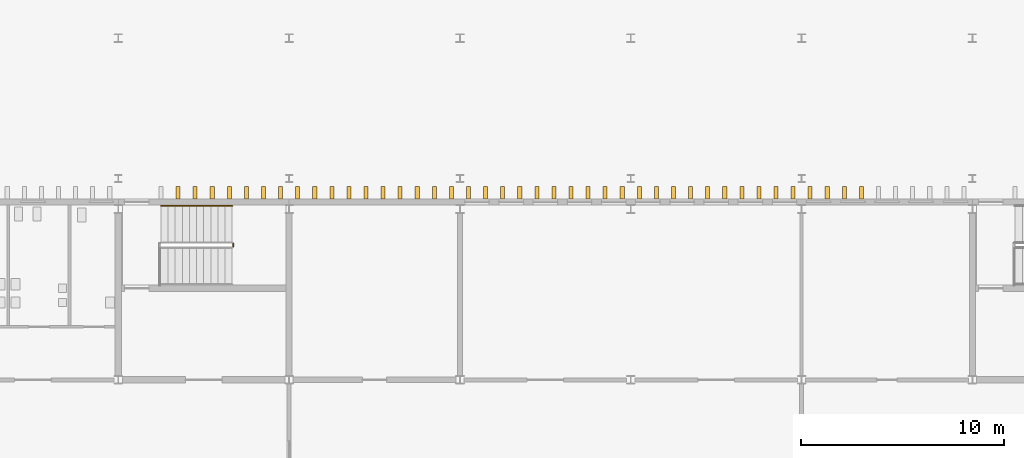
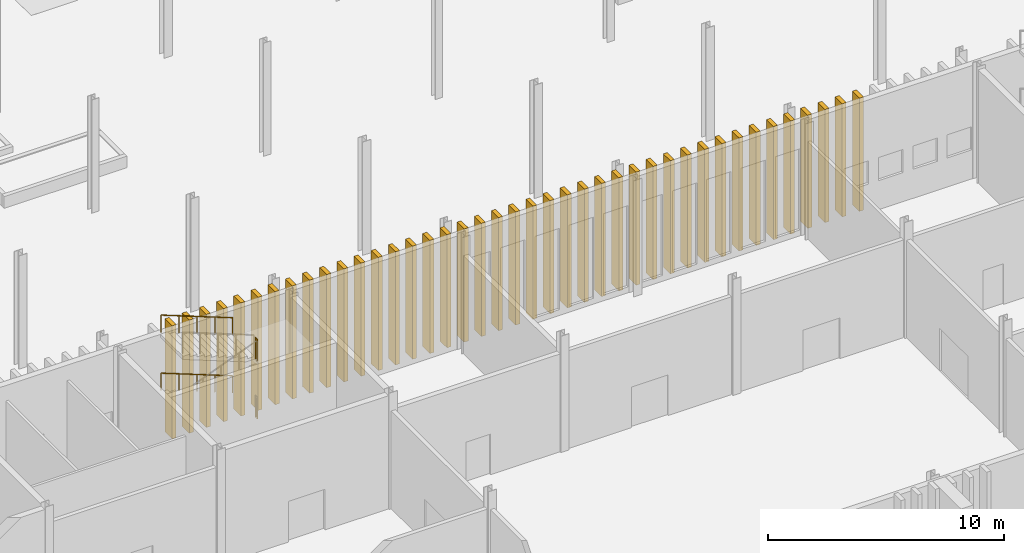
# One storey, part 90 of 108: 41 coverings, 4 railings.
"""IFC4 building model written with IfcOpenShell, lengths in metres."""

from ifc_helpers import new_model, si_unit, direction, frame, origin, origin_2d, place, context, subcontext, project, spatial, rectangle, circle, extrude, material, type_object, element, save


model = new_model("IFC4")

# Units and contexts
model_context = context("Model", 3, precision=1e-05, world=origin(), true_north=direction((0.0, 1.0)))
body_context = subcontext(model_context, "Body", "Model", "MODEL_VIEW")
ifc_project = project(units=[si_unit("LENGTHUNIT", "METRE"), si_unit("AREAUNIT", "SQUARE_METRE"), si_unit("VOLUMEUNIT", "CUBIC_METRE"), si_unit("PLANEANGLEUNIT", "RADIAN"), si_unit("MASSUNIT", "GRAM", prefix="KILO")], contexts=[model_context])

# Site, building, storey
site_placement = place(None, origin())
site = spatial("IfcSite", under=ifc_project, at=site_placement, CompositionType="ELEMENT")
building_placement = place(site_placement, origin())
building = spatial("IfcBuilding", under=site, at=building_placement, Name="Cresset Court Congress Hotel", CompositionType="ELEMENT")
storey_placement = place(building_placement, origin())
storey = spatial("IfcBuildingStorey", under=building, at=storey_placement, Name="L00", CompositionType="ELEMENT", Elevation=0.0)

# Railings
ifc_material_1 = material(Name="Steel and laminated glass", Category="steel")
railing_type_1 = type_object("IfcRailingType", Name="Guard 1100 steel and glass", PredefinedType="GUARDRAIL", material=ifc_material_1)
for number, where, name in (
    (1, (64.449951171875, 23.35009765625, 1.5), "L00 ST-B3 stair guard 2"),
    (2, (64.449951171875, 23.35009765625, 4.5), "L00 ST-B3 stair guard 6"),
):
    element("IfcRailing", number, at=place(storey_placement, frame(where)), inside=storey, type_object=railing_type_1, Name=name, PredefinedType="GUARDRAIL", context=body_context, shape_type="SweptSolid", body=[
        extrude(circle(Radius=0.02392578125, at=origin_2d()), frame((0.0, 0.0, 1.076171875), z_axis=(0.0, 1.0, 0.0), x_axis=(-1.0, 0.0, 0.0)), (0.0, 0.0, 1.0), 0.14990234375),
        extrude(circle(Radius=0.02099609375, at=origin_2d()), origin(), (0.0, 0.0, 1.0), 1.052001953125),
        extrude(circle(Radius=0.02099609375, at=origin_2d()), frame((0.0, 0.14990234375, 0.0)), (0.0, 0.0, 1.0), 1.052001953125),
    ])
ifc_material_2 = material(Name="Stainless steel", Category="steel")
railing_type_2 = type_object("IfcRailingType", Name="Handrail 48 stainless", PredefinedType="HANDRAIL", material=ifc_material_2)
for number, where, name in (
    (3, (64.39990234375, 25.35009765625, 1.636474609375), "L00 ST-B3 stair handrail 2"),
    (4, (64.39990234375, 25.35009765625, 4.636474609375), "L00 ST-B3 stair handrail 4"),
):
    element("IfcRailing", number, at=place(storey_placement, frame(where)), inside=storey, type_object=railing_type_2, Name=name, PredefinedType="HANDRAIL", context=body_context, shape_type="SweptSolid", body=[
        extrude(circle(Radius=0.02392578125, at=origin_2d()), frame((0.0, 0.0, 0.8759765625), z_axis=(-0.931787385211, 0.0, 0.3630045024), x_axis=(0.0, -1.0, 0.0)), (0.0, 0.0, 1.0), 3.756103515625),
        extrude(circle(Radius=0.02099609375, at=origin_2d()), origin(), (0.0, 0.0, 1.0), 0.851806640625),
        extrude(circle(Radius=0.02099609375, at=origin_2d()), frame((-0.875, 0.0, 0.3408203125)), (0.0, 0.0, 1.0), 0.851806640625),
        extrude(circle(Radius=0.02099609375, at=origin_2d()), frame((-1.75, 0.0, 0.681640625)), (0.0, 0.0, 1.0), 0.851806640625),
        extrude(circle(Radius=0.02099609375, at=origin_2d()), frame((-2.625, 0.0, 1.022705078125)), (0.0, 0.0, 1.0), 0.851806640625),
        extrude(circle(Radius=0.02099609375, at=origin_2d()), frame((-3.5, 0.0, 1.363525390625)), (0.0, 0.0, 1.0), 0.851806640625),
    ])

# Coverings
ifc_material_3 = material(Name="Precast concrete C50", Category="concrete")
covering_type = type_object("IfcCoveringType", Name="Precast stone fin 200x600 variant 1", PredefinedType="CLADDING", material=ifc_material_3)
for number, where, z_axis, x_axis, name in (
    (5, (61.739990234375, 26.0, 0.0), (0.0, 0.0, 1.0), (1.0, 0.0, 0.0), "Fin N00-063"),
    (6, (62.580078125, 26.0, 0.0), (0.0, 0.0, 1.0), (1.0, 0.0, 0.0), "Fin N00-064"),
    (7, (63.419921875, 26.0, 0.0), (0.0, 0.0, 1.0), (1.0, 0.0, 0.0), "Fin N00-065"),
    (8, (64.260009765625, 26.0, 0.0), (0.0, 0.0, 1.0), (1.0, 0.0, 0.0), "Fin N00-066"),
    (9, (65.10009765625, 26.0, 0.0), (0.0, 0.0, 1.0), (1.0, 0.0, 0.0), "Fin N00-067"),
    (10, (65.93994140625, 26.0, 0.0), (0.0, 0.0, 1.0), (1.0, 0.0, 0.0), "Fin N00-068"),
    (11, (66.780029296875, 26.0, 0.0), (0.0, 0.0, 1.0), (1.0, 0.0, 0.0), "Fin N00-069"),
    (12, (67.6201171875, 26.0, 0.0), (0.0, 0.0, 1.0), (1.0, 0.0, 0.0), "Fin N00-070"),
    (13, (68.4599609375, 26.0, 0.0), (0.0, 0.0, 1.0), (1.0, 0.0, 0.0), "Fin N00-071"),
    (14, (69.300048828125, 26.0, 0.0), (0.0, 0.0, 1.0), (1.0, 0.0, 0.0), "Fin N00-072"),
    (15, (70.139892578125, 26.0, 0.0), (0.0, 0.0, 1.0), (1.0, 0.0, 0.0), "Fin N00-073"),
    (16, (70.97998046875, 26.0, 0.0), (0.0, 0.0, 1.0), (1.0, 0.0, 0.0), "Fin N00-074"),
    (17, (71.820068359375, 26.0, 0.0), (0.0, 0.0, 1.0), (1.0, 0.0, 0.0), "Fin N00-075"),
    (18, (72.659912109375, 26.0, 0.0), (0.0, 0.0, 1.0), (1.0, 0.0, 0.0), "Fin N00-076"),
    (19, (73.5, 26.0, 0.0), (0.0, 0.0, 1.0), (1.0, 0.0, 0.0), "Fin N00-077"),
    (20, (74.340087890625, 26.0, 0.0), (0.0, 0.0, 1.0), (1.0, 0.0, 0.0), "Fin N00-078"),
    (21, (75.179931640625, 26.0, 0.0), (0.0, 0.0, 1.0), (1.0, 0.0, 0.0), "Fin N00-079"),
    (22, (76.02001953125, 26.0, 0.0), (0.0, 0.0, 1.0), (1.0, 0.0, 0.0), "Fin N00-080"),
    (23, (76.860107421875, 26.0, 0.0), (0.0, 0.0, 1.0), (1.0, 0.0, 0.0), "Fin N00-081"),
    (24, (77.699951171875, 26.0, 0.0), (0.0, 0.0, 1.0), (1.0, 0.0, 0.0), "Fin N00-082"),
    (25, (78.5400390625, 26.0, 0.0), (0.0, 0.0, 1.0), (1.0, 0.0, 0.0), "Fin N00-083"),
    (26, (79.3798828125, 26.0, 0.0), (0.0, 0.0, 1.0), (1.0, 0.0, 0.0), "Fin N00-084"),
    (27, (80.219970703125, 26.0, 0.0), (0.0, 0.0, 1.0), (1.0, 0.0, 0.0), "Fin N00-085"),
    (28, (81.06005859375, 26.0, 0.0), (0.0, 0.0, 1.0), (1.0, 0.0, 0.0), "Fin N00-086"),
    (29, (81.89990234375, 26.0, 0.0), (0.0, 0.0, 1.0), (1.0, 0.0, 0.0), "Fin N00-087"),
    (30, (82.739990234375, 26.0, 0.0), (0.0, 0.0, 1.0), (1.0, 0.0, 0.0), "Fin N00-088"),
    (31, (83.580078125, 26.0, 0.0), (0.0, 0.0, 1.0), (1.0, 0.0, 0.0), "Fin N00-089"),
    (32, (84.419921875, 26.0, 0.0), (0.0, 0.0, 1.0), (1.0, 0.0, 0.0), "Fin N00-090"),
    (33, (85.260009765625, 26.0, 0.0), (0.0, 0.0, 1.0), (1.0, 0.0, 0.0), "Fin N00-091"),
    (34, (86.10009765625, 26.0, 0.0), (0.0, 0.0, 1.0), (1.0, 0.0, 0.0), "Fin N00-092"),
    (35, (86.93994140625, 26.0, 0.0), (0.0, 0.0, 1.0), (1.0, 0.0, 0.0), "Fin N00-093"),
    (36, (87.780029296875, 26.0, 0.0), (0.0, 0.0, 1.0), (1.0, 0.0, 0.0), "Fin N00-094"),
    (37, (88.6201171875, 26.0, 0.0), (0.0, 0.0, 1.0), (1.0, 0.0, 0.0), "Fin N00-095"),
    (38, (89.4599609375, 26.0, 0.0), (0.0, 0.0, 1.0), (1.0, 0.0, 0.0), "Fin N00-096"),
    (39, (90.300048828125, 26.0, 0.0), (0.0, 0.0, 1.0), (1.0, 0.0, 0.0), "Fin N00-097"),
    (40, (91.139892578125, 26.0, 0.0), (0.0, 0.0, 1.0), (1.0, 0.0, 0.0), "Fin N00-098"),
    (41, (91.97998046875, 26.0, 0.0), (0.0, 0.0, 1.0), (1.0, 0.0, 0.0), "Fin N00-099"),
    (42, (92.820068359375, 26.0, 0.0), (0.0, 0.0, 1.0), (1.0, 0.0, 0.0), "Fin N00-100"),
    (43, (93.659912109375, 26.0, 0.0), (0.0, 0.0, 1.0), (1.0, 0.0, 0.0), "Fin N00-101"),
    (44, (94.5, 26.0, 0.0), (0.0, 0.0, 1.0), (1.0, 0.0, 0.0), "Fin N00-102"),
    (45, (95.340087890625, 26.0, 0.0), (0.0, 0.0, 1.0), (1.0, 0.0, 0.0), "Fin N00-103"),
):
    element("IfcCovering", number, at=place(storey_placement, frame(where, z_axis=z_axis, x_axis=x_axis)), inside=storey, type_object=covering_type, Name=name, PredefinedType="CLADDING", context=body_context, shape_type="SweptSolid", body=[
        extrude(rectangle(XDim=0.199951171875, YDim=0.60009765625, at=origin_2d()), origin(), (0.0, 0.0, 1.0), 5.85009765625),
    ])

save(model, "model.ifc")
